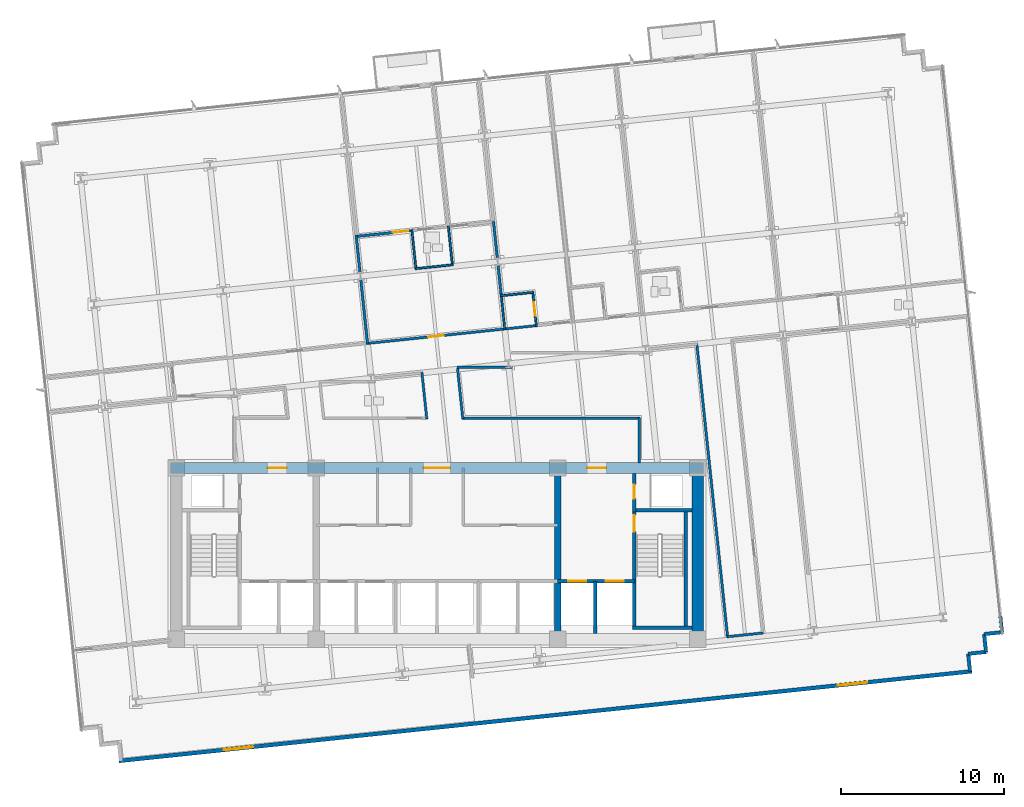
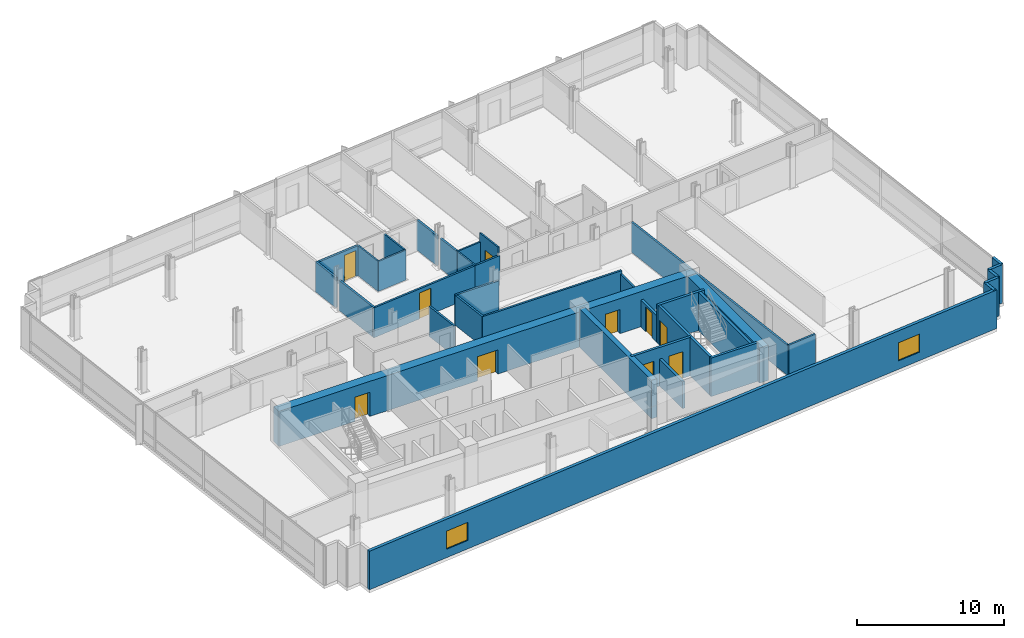
# One storey, part 11 of 17: 36 walls, 10 doors, 2 windows, 12 openings.
"""IFC4 building model written with IfcOpenShell, lengths in metres."""

from ifc_helpers import new_model, si_unit, direction, frame, frame_2d, origin, place, context, subcontext, project, spatial, rectangle, extrude, material, layer, layer_set, type_object, element, fill, save


model = new_model("IFC4")

# Units and contexts
model_context = context("Model", 3, precision=1e-05, world=origin(), true_north=direction((0.0, 1.0)))
body_context = subcontext(model_context, "Body", "Model", "MODEL_VIEW")
ifc_project = project(units=[si_unit("LENGTHUNIT", "METRE"), si_unit("AREAUNIT", "SQUARE_METRE"), si_unit("VOLUMEUNIT", "CUBIC_METRE"), si_unit("PLANEANGLEUNIT", "RADIAN"), si_unit("MASSUNIT", "GRAM", prefix="KILO")], contexts=[model_context])

# Site, building, storey
site_placement = place(None, origin())
site = spatial("IfcSite", under=ifc_project, at=site_placement, CompositionType="ELEMENT")
building_placement = place(site_placement, origin())
building = spatial("IfcBuilding", under=site, at=building_placement, Name="Solmavex Isthmus Hotel", CompositionType="ELEMENT")
storey_placement = place(building_placement, frame((0.0, 0.0, 90.449951171875)))
storey = spatial("IfcBuildingStorey", under=building, at=storey_placement, Name="L24", CompositionType="ELEMENT", Elevation=90.449951171875)

# Wall, openings, windows
ifc_material_1 = material(Name="Precast Concrete C40/50", Category="concrete")
ifc_layer_1 = layer(ifc_material_1, 0.25)
ifc_layer_set_1 = layer_set([ifc_layer_1], Name="Precast Concrete C40/50")
wall_type_1 = type_object("IfcWallType", Name="EW-TWR-250", PredefinedType="STANDARD", material=ifc_layer_set_1)
wall_1_placement = place(storey_placement, frame((-19.504150390625, -20.4716796875, 0.0), z_axis=(0.0, 0.0, 1.0), x_axis=(0.994521743132, 0.104529911687, 0.0)))
wall_1 = element("IfcWall", 1, at=wall_1_placement, inside=storey, type_object=wall_type_1, Name="Tower Rear South Facade Wall L24", PredefinedType="STANDARD", context=body_context, shape_type="SweptSolid", body=[
    extrude(rectangle(XDim=52.60009765625, YDim=0.239990234375, at=frame_2d((26.300048828125, 0.0))), origin(), (0.0, 0.0, 1.0), 3.18994140625),
])
opening_1_placement = place(wall_1_placement, frame((6.464111328125, 0.0, 0.699951171875)))
opening_1 = element("IfcOpeningElement", 2, at=opening_1_placement, cuts=wall_1, Name="Opening WN-02", PredefinedType="OPENING", context=body_context, shape_type="SweptSolid", body=[
    extrude(rectangle(XDim=1.800048828125, YDim=1.5, at=frame_2d((0.89990234375, 0.75))), frame((0.0, 0.1298828125, 0.0), z_axis=(0.0, -1.0, 0.0), x_axis=(1.0, 0.0, 0.0)), (0.0, 0.0, 1.0), 0.260009765625),
])
opening_2_placement = place(wall_1_placement, frame((44.3359375, 0.0, 0.699951171875)))
opening_2 = element("IfcOpeningElement", 3, at=opening_2_placement, cuts=wall_1, Name="Opening WN-02", PredefinedType="OPENING", context=body_context, shape_type="SweptSolid", body=[
    extrude(rectangle(XDim=1.800048828125, YDim=1.5, at=frame_2d((0.89990234375, 0.75))), frame((0.0, 0.1298828125, 0.0), z_axis=(0.0, -1.0, 0.0), x_axis=(1.0, 0.0, 0.0)), (0.0, 0.0, 1.0), 0.260009765625),
])
ifc_material_2 = material(Name="Clear low-E laminated glass", Category="glass")
window_type = type_object("IfcWindowType", Name="WIN-TWR-1800", PartitioningType="SINGLE_PANEL", PredefinedType="WINDOW", material=ifc_material_2)
window_1_placement = place(opening_1_placement, origin())
window_1 = element("IfcWindow", 4, at=window_1_placement, inside=storey, type_object=window_type, Name="South Facade Vision Window L24-S1", OverallHeight=1.5, OverallWidth=1.800048828125, PartitioningType="SINGLE_PANEL", PredefinedType="WINDOW", context=body_context, shape_type="SweptSolid", body=[
    extrude(rectangle(XDim=1.800048828125, YDim=1.5, at=frame_2d((0.89990234375, 0.75))), frame((0.0, 0.030029296875, 0.0), z_axis=(0.0, -1.0, 0.0), x_axis=(1.0, 0.0, 0.0)), (0.0, 0.0, 1.0), 0.06005859375),
])
fill(opening_1, window_1)
window_2_placement = place(opening_2_placement, origin())
window_2 = element("IfcWindow", 5, at=window_2_placement, inside=storey, type_object=window_type, Name="South Facade Vision Window L24-S2", OverallHeight=1.5, OverallWidth=1.800048828125, PartitioningType="SINGLE_PANEL", PredefinedType="WINDOW", context=body_context, shape_type="SweptSolid", body=[
    extrude(rectangle(XDim=1.800048828125, YDim=1.5, at=frame_2d((0.89990234375, 0.75))), frame((0.0, 0.030029296875, 0.0), z_axis=(0.0, -1.0, 0.0), x_axis=(1.0, 0.0, 0.0)), (0.0, 0.0, 1.0), 0.06005859375),
])
fill(opening_2, window_2)

# Walls
wall_2_placement = place(storey_placement, frame((34.553955078125, -11.59228515625, 0.0), z_axis=(0.0, 0.0, 1.0), x_axis=(0.104556418955, -0.99451895671, 0.0)))
element("IfcWall", 6, at=wall_2_placement, inside=storey, type_object=wall_type_1, Name="Serrated Corner Facade Panel L24-21", PredefinedType="STANDARD", context=body_context, shape_type="SweptSolid", body=[
    extrude(rectangle(XDim=0.989990234375, YDim=0.219970703125, at=frame_2d((0.4951171875, 0.0))), origin(), (0.0, 0.0, 1.0), 3.18994140625),
])
for number, where, z_axis, x_axis, name in (
    (7, (34.657470703125, -12.576904296875, 0.0), (0.0, 0.0, 1.0), (-0.994521251134, -0.104534592565, 0.0), "Serrated Corner Facade Panel L24-22"),
    (8, (33.5634765625, -12.69189453125, 0.0), (0.0, 0.0, 1.0), (0.104534592565, -0.994521251134, 0.0), "Serrated Corner Facade Panel L24-23"),
    (9, (33.678466796875, -13.785888671875, 0.0), (0.0, 0.0, 1.0), (-0.994521251134, -0.104534592565, 0.0), "Serrated Corner Facade Panel L24-24"),
    (10, (32.58447265625, -13.90087890625, 0.0), (0.0, 0.0, 1.0), (0.104534592565, -0.994521251134, 0.0), "Serrated Corner Facade Panel L24-25"),
):
    element("IfcWall", number, at=place(storey_placement, frame(where, z_axis=z_axis, x_axis=x_axis)), inside=storey, type_object=wall_type_1, Name=name, PredefinedType="STANDARD", context=body_context, shape_type="SweptSolid", body=[
        extrude(rectangle(XDim=1.10009765625, YDim=0.219970703125, at=frame_2d((0.550048828125, 0.0))), origin(), (0.0, 0.0, 1.0), 3.18994140625),
    ])
ifc_material_3 = material(Name="Gypsum plasterboard lining", Category="gypsum")
ifc_layer_2 = layer(ifc_material_3, 0.159912109375)
ifc_layer_set_2 = layer_set([ifc_layer_2], Name="Gypsum plasterboard lining")
wall_type_2 = type_object("IfcWallType", Name="IW-COMP-160", PredefinedType="PARTITIONING", material=ifc_layer_set_2)
wall_3_placement = place(storey_placement, frame((-4.962158203125, 11.78515625, 0.0), z_axis=(0.0, 0.0, 1.0), x_axis=(0.104571491077, -0.994517372022, 0.0)))
element("IfcWall", 11, at=wall_3_placement, inside=storey, type_object=wall_type_2, Name="Interior Partition Wall W-L24-P033", PredefinedType="PARTITIONING", context=body_context, shape_type="SweptSolid", body=[
    extrude(rectangle(XDim=2.355712890625, YDim=0.159912109375, at=frame_2d((1.177734375, 0.0))), origin(), (0.0, 0.0, 1.0), 2.4794921875),
])
wall_4_placement = place(storey_placement, frame((-4.678955078125, 9.091796875, 0.0), z_axis=(0.0, 0.0, 1.0), x_axis=(0.104491540593, -0.994525775405, 0.0)))
element("IfcWall", 12, at=wall_4_placement, inside=storey, type_object=wall_type_2, Name="Interior Partition Wall W-L24-P034", PredefinedType="PARTITIONING", context=body_context, shape_type="SweptSolid", body=[
    extrude(rectangle(XDim=4.01171875, YDim=0.159912109375, at=frame_2d((2.005859375, 0.0))), origin(), (0.0, 0.0, 1.0), 2.4794921875),
])

# Wall, opening, door
wall_5_placement = place(storey_placement, frame((-4.993408203125, 11.699462890625, 0.0), z_axis=(0.0, 0.0, 1.0), x_axis=(0.994522955196, 0.104518379192, 0.0)))
wall_5 = element("IfcWall", 13, at=wall_5_placement, inside=storey, type_object=wall_type_2, Name="Interior Partition Wall W-L24-P038", PredefinedType="PARTITIONING", context=body_context, shape_type="SweptSolid", body=[
    extrude(rectangle(XDim=3.51318359375, YDim=0.159912109375, at=frame_2d((1.756591796875, 0.0))), origin(), (0.0, 0.0, 1.0), 2.4794921875),
])
opening_3_placement = place(wall_5_placement, frame((2.290771484375, 0.0, 0.0)))
opening_3 = element("IfcOpeningElement", 14, at=opening_3_placement, cuts=wall_5, Name="Opening ID-C095", PredefinedType="OPENING", context=body_context, shape_type="SweptSolid", body=[
    extrude(rectangle(XDim=0.949951171875, YDim=2.14990234375, at=frame_2d((0.47509765625, 1.074951171875))), frame((0.0, 0.08984375, 0.0), z_axis=(0.0, -1.0, 0.0), x_axis=(1.0, 0.0, 0.0)), (0.0, 0.0, 1.0), 0.179931640625),
])
ifc_material_4 = material(Name="Hardwood timber", Category="wood")
door_type_1 = type_object("IfcDoorType", Name="IDR-FD60-0950", OperationType="NOTDEFINED", PredefinedType="DOOR", material=ifc_material_4)
door_1_placement = place(opening_3_placement, origin())
door_1 = element("IfcDoor", 15, at=door_1_placement, inside=storey, type_object=door_type_1, Name="Ambassador Suite Bedroom Door L24-03", OperationType="SINGLE_SWING_LEFT", OverallHeight=2.14990234375, OverallWidth=0.949951171875, PredefinedType="DOOR", context=body_context, shape_type="SweptSolid", body=[
    extrude(rectangle(XDim=0.949951171875, YDim=2.14990234375, at=frame_2d((0.47509765625, 1.074951171875))), frame((0.0, 0.02490234375, 0.0), z_axis=(0.0, -1.0, 0.0), x_axis=(1.0, 0.0, 0.0)), (0.0, 0.0, 1.0), 0.050048828125),
])
fill(opening_3, door_1)

# Walls
wall_6_placement = place(storey_placement, frame((3.4619140625, 12.62841796875, 0.0), z_axis=(0.0, 0.0, 1.0), x_axis=(0.104558463094, -0.994518741802, 0.0)))
element("IfcWall", 16, at=wall_6_placement, inside=storey, type_object=wall_type_2, Name="Interior Partition Wall W-L24-P043", PredefinedType="PARTITIONING", context=body_context, shape_type="SweptSolid", body=[
    extrude(rectangle(XDim=2.31396484375, YDim=0.159912109375, at=frame_2d((1.156982421875, 0.0))), origin(), (0.0, 0.0, 1.0), 2.4794921875),
])
wall_7_placement = place(storey_placement, frame((3.740478515625, 9.976806640625, 0.0), z_axis=(0.0, 0.0, 1.0), x_axis=(0.104532575691, -0.994521463127, 0.0)))
element("IfcWall", 17, at=wall_7_placement, inside=storey, type_object=wall_type_2, Name="Interior Partition Wall W-L24-P044", PredefinedType="PARTITIONING", context=body_context, shape_type="SweptSolid", body=[
    extrude(rectangle(XDim=2.00390625, YDim=0.159912109375, at=frame_2d((1.001953125, 0.0))), origin(), (0.0, 0.0, 1.0), 2.4794921875),
])

# Wall, opening, door
ifc_layer_3 = layer(ifc_material_3, 0.14990234375)
ifc_layer_set_3 = layer_set([ifc_layer_3], Name="Gypsum plasterboard lining")
wall_type_3 = type_object("IfcWallType", Name="IW-CORR-150", PredefinedType="PARTITIONING", material=ifc_layer_set_3)
wall_8_placement = place(storey_placement, frame((-4.345458984375, 5.13330078125, 0.0), z_axis=(0.0, 0.0, 1.0), x_axis=(0.994521717123, 0.104530159146, 0.0)))
wall_8 = element("IfcWall", 18, at=wall_8_placement, inside=storey, type_object=wall_type_3, Name="Interior Partition Wall W-L24-P002", PredefinedType="PARTITIONING", context=body_context, shape_type="SweptSolid", body=[
    extrude(rectangle(XDim=8.630126953125, YDim=0.14990234375, at=frame_2d((4.31494140625, 0.0))), origin(), (0.0, 0.0, 1.0), 2.4794921875),
])
opening_4_placement = place(wall_8_placement, frame((3.840087890625, 0.0, 0.0)))
opening_4 = element("IfcOpeningElement", 19, at=opening_4_placement, cuts=wall_8, Name="Opening ID-C095", PredefinedType="OPENING", context=body_context, shape_type="SweptSolid", body=[
    extrude(rectangle(XDim=0.949951171875, YDim=2.14990234375, at=frame_2d((0.47509765625, 1.074951171875))), frame((0.0, 0.0849609375, 0.0), z_axis=(0.0, -1.0, 0.0), x_axis=(1.0, 0.0, 0.0)), (0.0, 0.0, 1.0), 0.169921875),
])
door_2_placement = place(opening_4_placement, origin())
door_2 = element("IfcDoor", 20, at=door_2_placement, inside=storey, type_object=door_type_1, Name="Ambassador Suite Reception Foyer Door L24-02", OperationType="SINGLE_SWING_RIGHT", OverallHeight=2.14990234375, OverallWidth=0.949951171875, PredefinedType="DOOR", context=body_context, shape_type="SweptSolid", body=[
    extrude(rectangle(XDim=0.949951171875, YDim=2.14990234375, at=frame_2d((0.47509765625, 1.074951171875))), frame((0.0, 0.02490234375, 0.0), z_axis=(0.0, -1.0, 0.0), x_axis=(1.0, 0.0, 0.0)), (0.0, 0.0, 1.0), 0.050048828125),
])
fill(opening_4, door_2)

# Walls
wall_9_placement = place(storey_placement, frame((4.07421875, 6.01806640625, 0.0), z_axis=(0.0, 0.0, 1.0), x_axis=(0.994520650134, 0.1045403102, 0.0)))
element("IfcWall", 21, at=wall_9_placement, inside=storey, type_object=wall_type_3, Name="Interior Partition Wall W-L24-P004", PredefinedType="PARTITIONING", context=body_context, shape_type="SweptSolid", body=[
    extrude(rectangle(XDim=2.111083984375, YDim=0.14990234375, at=frame_2d((1.0556640625, 0.0))), origin(), (0.0, 0.0, 1.0), 2.4794921875),
])
wall_10_placement = place(storey_placement, frame((-0.626708984375, 0.51025390625, 0.0), z_axis=(0.0, 0.0, 1.0), x_axis=(-0.104569907609, 0.994517538519, 0.0)))
element("IfcWall", 22, at=wall_10_placement, inside=storey, type_object=wall_type_3, Name="Interior Partition Wall W-L24-P013", PredefinedType="PARTITIONING", context=body_context, shape_type="SweptSolid", body=[
    extrude(rectangle(XDim=2.87646484375, YDim=0.14990234375, at=frame_2d((1.438232421875, 0.0))), origin(), (0.0, 0.0, 1.0), 2.4794921875),
])
wall_11_placement = place(storey_placement, frame((20.010498046875, -12.6181640625, 0.0), z_axis=(0.0, 0.0, 1.0), x_axis=(-0.994522758079, -0.104520254794, 0.0)))
element("IfcWall", 23, at=wall_11_placement, inside=storey, type_object=wall_type_3, Name="Interior Partition Wall W-L24-P024", PredefinedType="PARTITIONING", context=body_context, shape_type="SweptSolid", body=[
    extrude(rectangle(XDim=2.239990234375, YDim=0.14990234375, at=frame_2d((1.1201171875, 0.0))), origin(), (0.0, 0.0, 1.0), 2.55322265625),
])
wall_12_placement = place(storey_placement, frame((17.82666015625, -12.887939453125, 0.0), z_axis=(0.0, 0.0, 1.0), x_axis=(-0.104523559353, 0.994522410778, 0.0)))
element("IfcWall", 24, at=wall_12_placement, inside=storey, type_object=wall_type_3, Name="Interior Partition Wall W-L24-P025", PredefinedType="PARTITIONING", context=body_context, shape_type="SweptSolid", body=[
    extrude(rectangle(XDim=18.130126953125, YDim=0.14990234375, at=frame_2d((9.06494140625, 0.0))), origin(), (0.0, 0.0, 1.0), 2.4794921875),
])
wall_13_placement = place(storey_placement, frame((4.635498046875, 3.673583984375, 0.0), z_axis=(0.0, 0.0, 1.0), x_axis=(-1.0, 0.0, 0.0)))
element("IfcWall", 25, at=wall_13_placement, inside=storey, type_object=wall_type_3, Name="Interior Partition Wall W-L24-P028", PredefinedType="PARTITIONING", context=body_context, shape_type="SweptSolid", body=[
    extrude(rectangle(XDim=3.41064453125, YDim=0.14990234375, at=frame_2d((1.705322265625, 0.0))), origin(), (0.0, 0.0, 1.0), 2.4794921875),
])
wall_14_placement = place(storey_placement, frame((1.260498046875, 3.600830078125, 0.0), z_axis=(0.0, 0.0, 1.0), x_axis=(0.104488483176, -0.994526096633, 0.0)))
element("IfcWall", 26, at=wall_14_placement, inside=storey, type_object=wall_type_3, Name="Interior Partition Wall W-L24-P029", PredefinedType="PARTITIONING", context=body_context, shape_type="SweptSolid", body=[
    extrude(rectangle(XDim=3.107666015625, YDim=0.14990234375, at=frame_2d((1.5537109375, 0.0))), origin(), (0.0, 0.0, 1.0), 2.4794921875),
])
wall_15_placement = place(storey_placement, frame((1.541015625, 0.550048828125, 0.0), z_axis=(0.0, 0.0, 1.0), x_axis=(1.0, 0.0, 0.0)))
element("IfcWall", 27, at=wall_15_placement, inside=storey, type_object=wall_type_3, Name="Interior Partition Wall W-L24-P030", PredefinedType="PARTITIONING", context=body_context, shape_type="SweptSolid", body=[
    extrude(rectangle(XDim=10.89892578125, YDim=0.14990234375, at=frame_2d((5.449462890625, 0.0))), origin(), (0.0, 0.0, 1.0), 2.4794921875),
])
wall_16_placement = place(storey_placement, frame((12.39990234375, 0.590087890625, 0.0), z_axis=(0.0, 0.0, 1.0), x_axis=(0.0, -1.0, 0.0)))
element("IfcWall", 28, at=wall_16_placement, inside=storey, type_object=wall_type_3, Name="Interior Partition Wall W-L24-P031", PredefinedType="PARTITIONING", context=body_context, shape_type="SweptSolid", body=[
    extrude(rectangle(XDim=2.780029296875, YDim=0.14990234375, at=frame_2d((1.39013671875, 0.0))), origin(), (0.0, 0.0, 1.0), 2.22509765625),
])
ifc_layer_4 = layer(ifc_material_3, 0.1201171875)
ifc_layer_set_4 = layer_set([ifc_layer_4], Name="Gypsum plasterboard lining")
wall_type_4 = type_object("IfcWallType", Name="IW-PART-120", PredefinedType="PARTITIONING", material=ifc_layer_set_4)
wall_17_placement = place(storey_placement, frame((-1.54345703125, 12.102294921875, 0.0), z_axis=(0.0, 0.0, 1.0), x_axis=(0.104486049741, -0.994526352295, 0.0)))
element("IfcWall", 29, at=wall_17_placement, inside=storey, type_object=wall_type_4, Name="Interior Partition Wall W-L24-P040", PredefinedType="PARTITIONING", context=body_context, shape_type="SweptSolid", body=[
    extrude(rectangle(XDim=2.429931640625, YDim=0.1201171875, at=frame_2d((1.21484375, 0.0))), origin(), (0.0, 0.0, 1.0), 2.4794921875),
])
wall_18_placement = place(storey_placement, frame((-1.33349609375, 9.72119140625, 0.0), z_axis=(0.0, 0.0, 1.0), x_axis=(0.994527822882, 0.104472051355, 0.0)))
element("IfcWall", 30, at=wall_18_placement, inside=storey, type_object=wall_type_4, Name="Interior Partition Wall W-L24-P041", PredefinedType="PARTITIONING", context=body_context, shape_type="SweptSolid", body=[
    extrude(rectangle(XDim=2.329833984375, YDim=0.1201171875, at=frame_2d((1.1650390625, 0.0))), origin(), (0.0, 0.0, 1.0), 2.4794921875),
])
wall_19_placement = place(storey_placement, frame((0.9482421875, 9.920654296875, 0.0), z_axis=(0.0, 0.0, 1.0), x_axis=(-0.104585418696, 0.994515907463, 0.0)))
element("IfcWall", 31, at=wall_19_placement, inside=storey, type_object=wall_type_4, Name="Interior Partition Wall W-L24-P042", PredefinedType="PARTITIONING", context=body_context, shape_type="SweptSolid", body=[
    extrude(rectangle(XDim=2.43017578125, YDim=0.1201171875, at=frame_2d((1.215087890625, 0.0))), origin(), (0.0, 0.0, 1.0), 2.4794921875),
])
wall_20_placement = place(storey_placement, frame((3.932861328125, 8.14697265625, 0.0), z_axis=(0.0, 0.0, 1.0), x_axis=(0.104544343878, -0.994520226121, 0.0)))
element("IfcWall", 32, at=wall_20_placement, inside=storey, type_object=wall_type_4, Name="Interior Partition Wall W-L24-P045", PredefinedType="PARTITIONING", context=body_context, shape_type="SweptSolid", body=[
    extrude(rectangle(XDim=2.171875, YDim=0.1201171875, at=frame_2d((1.0859375, 0.0))), origin(), (0.0, 0.0, 1.0), 2.4794921875),
])

# Wall, opening, door
wall_21_placement = place(storey_placement, frame((6.096435546875, 6.1904296875, 0.0), z_axis=(0.0, 0.0, 1.0), x_axis=(-0.104529659321, 0.994521769657, 0.0)))
wall_21 = element("IfcWall", 33, at=wall_21_placement, inside=storey, type_object=wall_type_4, Name="Interior Partition Wall W-L24-P050", PredefinedType="PARTITIONING", context=body_context, shape_type="SweptSolid", body=[
    extrude(rectangle(XDim=2.130126953125, YDim=0.1201171875, at=frame_2d((1.06494140625, 0.0))), origin(), (0.0, 0.0, 1.0), 3.18994140625),
])
opening_5_placement = place(wall_21_placement, frame((0.639892578125, 0.0, 0.0)))
opening_5 = element("IfcOpeningElement", 34, at=opening_5_placement, cuts=wall_21, Name="Opening ID-U085", PredefinedType="OPENING", context=body_context, shape_type="SweptSolid", body=[
    extrude(rectangle(XDim=0.85009765625, YDim=2.10009765625, at=frame_2d((0.425048828125, 1.050048828125))), frame((0.0, 0.070068359375, 0.0), z_axis=(0.0, -1.0, 0.0), x_axis=(1.0, 0.0, 0.0)), (0.0, 0.0, 1.0), 0.14013671875),
])
door_type_2 = type_object("IfcDoorType", Name="IDR-UNR-0850", OperationType="NOTDEFINED", PredefinedType="DOOR", material=ifc_material_4)
door_3_placement = place(opening_5_placement, frame((0.85009765625, 0.0, 0.0), z_axis=(0.0, 0.0, 1.0), x_axis=(-1.0, 0.0, 0.0)))
door_3 = element("IfcDoor", 35, at=door_3_placement, inside=storey, type_object=door_type_2, Name="En-suite Bathroom Door L24-07", OperationType="SINGLE_SWING_LEFT", OverallHeight=2.10009765625, OverallWidth=0.85009765625, PredefinedType="DOOR", context=body_context, shape_type="SweptSolid", body=[
    extrude(rectangle(XDim=0.85009765625, YDim=2.10009765625, at=frame_2d((0.425048828125, 1.050048828125))), frame((0.0, 0.02490234375, 0.0), z_axis=(0.0, -1.0, 0.0), x_axis=(1.0, 0.0, 0.0)), (0.0, 0.0, 1.0), 0.050048828125),
])
fill(opening_5, door_3)

# Wall
wall_22_placement = place(storey_placement, frame((5.917724609375, 8.273193359375, 0.0), z_axis=(0.0, 0.0, 1.0), x_axis=(-0.994521279075, -0.104534326742, 0.0)))
element("IfcWall", 36, at=wall_22_placement, inside=storey, type_object=wall_type_4, Name="Interior Partition Wall W-L24-P051", PredefinedType="PARTITIONING", context=body_context, shape_type="SweptSolid", body=[
    extrude(rectangle(XDim=2.027099609375, YDim=0.1201171875, at=frame_2d((1.013671875, 0.0))), origin(), (0.0, 0.0, 1.0), 2.4794921875),
])

# Wall, opening, door
ifc_material_5 = material(Name="Concrete C40/50", Category="concrete")
ifc_layer_5 = layer(ifc_material_5, 0.199951171875)
ifc_layer_set_5 = layer_set([ifc_layer_5], Name="Concrete C40/50")
wall_type_5 = type_object("IfcWallType", Name="IW-SHAFT-200", PredefinedType="PARTITIONING", material=ifc_layer_set_5)
wall_23_placement = place(storey_placement, frame((12.10009765625, -5.199951171875, 0.0), z_axis=(0.0, 0.0, 1.0), x_axis=(0.0, 1.0, 0.0)))
wall_23 = element("IfcWall", 37, at=wall_23_placement, inside=storey, type_object=wall_type_5, Name="Interior Partition Wall W-L24-RSE-W", PredefinedType="PARTITIONING", context=body_context, shape_type="SweptSolid", body=[
    extrude(rectangle(XDim=2.349853515625, YDim=0.199951171875, at=frame_2d((1.1748046875, 0.0))), origin(), (0.0, 0.0, 1.0), 2.22509765625),
])
opening_6_placement = place(wall_23_placement, frame((0.824951171875, 0.0, 0.0)))
opening_6 = element("IfcOpeningElement", 38, at=opening_6_placement, cuts=wall_23, Name="Opening ID-R085", PredefinedType="OPENING", context=body_context, shape_type="SweptSolid", body=[
    extrude(rectangle(XDim=0.85009765625, YDim=2.050048828125, at=frame_2d((0.425048828125, 1.02490234375))), frame((0.0, 0.10986328125, 0.0), z_axis=(0.0, -1.0, 0.0), x_axis=(1.0, 0.0, 0.0)), (0.0, 0.0, 1.0), 0.219970703125),
])
ifc_material_6 = material(Name="Steel ASTM A500 Grade C", Category="steel")
door_type_3 = type_object("IfcDoorType", Name="IDR-FD60-0850", OperationType="NOTDEFINED", PredefinedType="DOOR", material=ifc_material_6)
door_4_placement = place(opening_6_placement, frame((0.85009765625, 0.0, 0.0), z_axis=(0.0, 0.0, 1.0), x_axis=(-1.0, 0.0, 0.0)))
door_4 = element("IfcDoor", 39, at=door_4_placement, inside=storey, type_object=door_type_3, Name="Mechanical Riser Door L24", OperationType="SINGLE_SWING_LEFT", OverallHeight=2.050048828125, OverallWidth=0.85009765625, PredefinedType="DOOR", context=body_context, shape_type="SweptSolid", body=[
    extrude(rectangle(XDim=0.85009765625, YDim=2.050048828125, at=frame_2d((0.425048828125, 1.02490234375))), frame((0.0, 0.02490234375, 0.0), z_axis=(0.0, -1.0, 0.0), x_axis=(1.0, 0.0, 0.0)), (0.0, 0.0, 1.0), 0.050048828125),
])
fill(opening_6, door_4)

# Wall, openings, doors
wall_24_placement = place(storey_placement, frame((7.39990234375, -9.449951171875, 0.0), z_axis=(0.0, 0.0, 1.0), x_axis=(1.0, 0.0, 0.0)))
wall_24 = element("IfcWall", 40, at=wall_24_placement, inside=storey, type_object=wall_type_5, Name="Interior Partition Wall W-L24-FFLE-S", PredefinedType="PARTITIONING", context=body_context, shape_type="SweptSolid", body=[
    extrude(rectangle(XDim=4.7001953125, YDim=0.199951171875, at=frame_2d((2.35009765625, 0.0))), origin(), (0.0, 0.0, 1.0), 3.18994140625),
])
opening_7_placement = place(wall_24_placement, frame((2.949951171875, 0.0, 0.0)))
opening_7 = element("IfcOpeningElement", 41, at=opening_7_placement, cuts=wall_24, Name="Opening LD-FF", PredefinedType="OPENING", context=body_context, shape_type="SweptSolid", body=[
    extrude(rectangle(XDim=1.10009765625, YDim=2.199951171875, at=frame_2d((0.550048828125, 1.10009765625))), frame((0.0, 0.10986328125, 0.0), z_axis=(0.0, -1.0, 0.0), x_axis=(1.0, 0.0, 0.0)), (0.0, 0.0, 1.0), 0.219970703125),
])
opening_8_placement = place(wall_24_placement, frame((0.64990234375, 0.0, 0.0)))
opening_8 = element("IfcOpeningElement", 42, at=opening_8_placement, cuts=wall_24, Name="Opening LD-SV", PredefinedType="OPENING", context=body_context, shape_type="SweptSolid", body=[
    extrude(rectangle(XDim=1.10009765625, YDim=2.199951171875, at=frame_2d((0.550048828125, 1.10009765625))), frame((0.0, 0.10986328125, 0.0), z_axis=(0.0, -1.0, 0.0), x_axis=(1.0, 0.0, 0.0)), (0.0, 0.0, 1.0), 0.219970703125),
])
ifc_material_7 = material(Name="Stainless steel 316", Category="steel")
door_type_4 = type_object("IfcDoorType", Name="LDR-FF-1100", OperationType="NOTDEFINED", PredefinedType="DOOR", material=ifc_material_7)
door_5_placement = place(opening_7_placement, origin())
door_5 = element("IfcDoor", 43, at=door_5_placement, inside=storey, type_object=door_type_4, Name="Lift Landing Door FFL-2 L24", OperationType="SLIDING_TO_LEFT", OverallHeight=2.199951171875, OverallWidth=1.10009765625, PredefinedType="DOOR", context=body_context, shape_type="SweptSolid", body=[
    extrude(rectangle(XDim=1.10009765625, YDim=2.199951171875, at=frame_2d((0.550048828125, 1.10009765625))), frame((0.0, 0.02490234375, 0.0), z_axis=(0.0, -1.0, 0.0), x_axis=(1.0, 0.0, 0.0)), (0.0, 0.0, 1.0), 0.050048828125),
])
fill(opening_7, door_5)
door_type_5 = type_object("IfcDoorType", Name="LDR-SV-1100", OperationType="NOTDEFINED", PredefinedType="DOOR", material=ifc_material_7)
door_6_placement = place(opening_8_placement, origin())
door_6 = element("IfcDoor", 44, at=door_6_placement, inside=storey, type_object=door_type_5, Name="Lift Landing Door SVL-2 L24", OperationType="SLIDING_TO_RIGHT", OverallHeight=2.199951171875, OverallWidth=1.10009765625, PredefinedType="DOOR", context=body_context, shape_type="SweptSolid", body=[
    extrude(rectangle(XDim=1.10009765625, YDim=2.199951171875, at=frame_2d((0.550048828125, 1.10009765625))), frame((0.0, 0.02490234375, 0.0), z_axis=(0.0, -1.0, 0.0), x_axis=(1.0, 0.0, 0.0)), (0.0, 0.0, 1.0), 0.050048828125),
])
fill(opening_8, door_6)

# Walls
wall_25_placement = place(storey_placement, frame((9.699951171875, -12.64990234375, 0.0), z_axis=(0.0, 0.0, 1.0), x_axis=(0.0, 1.0, 0.0)))
element("IfcWall", 45, at=wall_25_placement, inside=storey, type_object=wall_type_5, Name="Interior Partition Wall W-L24-FFLE-M", PredefinedType="PARTITIONING", context=body_context, shape_type="SweptSolid", body=[
    extrude(rectangle(XDim=3.199951171875, YDim=0.199951171875, at=frame_2d((1.60009765625, 0.0))), origin(), (0.0, 0.0, 1.0), 2.22509765625),
])
ifc_material_8 = material(Name="Concrete C60/75", Category="concrete")
ifc_layer_6 = layer(ifc_material_8, 0.39990234375)
ifc_layer_set_6 = layer_set([ifc_layer_6], Name="Concrete C60/75")
wall_type_6 = type_object("IfcWallType", Name="WALL-CW-400M", PredefinedType="SHEAR", material=ifc_layer_set_6)
wall_26_placement = place(storey_placement, frame((7.39990234375, -12.64990234375, 0.0), z_axis=(0.0, 0.0, 1.0), x_axis=(0.0, 1.0, 0.0)))
element("IfcWall", 46, at=wall_26_placement, inside=storey, type_object=wall_type_6, Name="Core Cross Shear Wall C2 L24", PredefinedType="SHEAR", context=body_context, shape_type="SweptSolid", body=[
    extrude(rectangle(XDim=9.7998046875, YDim=0.39990234375, at=frame_2d((4.89990234375, 0.0))), origin(), (0.0, 0.0, 1.0), 3.18994140625),
])

# Wall, openings, doors
ifc_layer_7 = layer(ifc_material_8, 0.699951171875)
ifc_layer_set_7 = layer_set([ifc_layer_7], Name="Concrete C60/75")
wall_type_7 = type_object("IfcWallType", Name="WALL-CW-700", PredefinedType="SHEAR", material=ifc_layer_set_7)
wall_27_placement = place(storey_placement, frame((-16.35009765625, -2.5, 0.0), z_axis=(0.0, 0.0, 1.0), x_axis=(1.0, 0.0, 0.0)))
wall_27 = element("IfcWall", 47, at=wall_27_placement, inside=storey, type_object=wall_type_7, Name="Core Shear Wall North L24", PredefinedType="SHEAR", context=body_context, shape_type="SweptSolid", body=[
    extrude(rectangle(XDim=32.7001953125, YDim=0.699951171875, at=frame_2d((16.35009765625, 0.0))), origin(), (0.0, 0.0, 1.0), 2.91015625),
])
opening_9_placement = place(wall_27_placement, frame((5.97509765625, 0.0, 0.0)))
opening_9 = element("IfcOpeningElement", 48, at=opening_9_placement, cuts=wall_27, Name="Opening ID-F915", PredefinedType="OPENING", context=body_context, shape_type="SweptSolid", body=[
    extrude(rectangle(XDim=1.14990234375, YDim=2.0, at=frame_2d((0.574951171875, 1.0))), frame((0.0, 0.35986328125, 0.0), z_axis=(0.0, -1.0, 0.0), x_axis=(1.0, 0.0, 0.0)), (0.0, 0.0, 1.0), 0.719970703125),
])
opening_10_placement = place(wall_27_placement, frame((15.550048828125, 0.0, 0.0)))
opening_10 = element("IfcOpeningElement", 49, at=opening_10_placement, cuts=wall_27, Name="Opening ID-F960", PredefinedType="OPENING", context=body_context, shape_type="SweptSolid", body=[
    extrude(rectangle(XDim=1.60009765625, YDim=2.0, at=frame_2d((0.800048828125, 1.0))), frame((0.0, 0.35986328125, 0.0), z_axis=(0.0, -1.0, 0.0), x_axis=(1.0, 0.0, 0.0)), (0.0, 0.0, 1.0), 0.719970703125),
])
opening_11_placement = place(wall_27_placement, frame((25.574951171875, 0.0, 0.0)))
opening_11 = element("IfcOpeningElement", 50, at=opening_11_placement, cuts=wall_27, Name="Opening ID-F915", PredefinedType="OPENING", context=body_context, shape_type="SweptSolid", body=[
    extrude(rectangle(XDim=1.14990234375, YDim=2.0, at=frame_2d((0.574951171875, 1.0))), frame((0.0, 0.35986328125, 0.0), z_axis=(0.0, -1.0, 0.0), x_axis=(1.0, 0.0, 0.0)), (0.0, 0.0, 1.0), 0.719970703125),
])
door_type_6 = type_object("IfcDoorType", Name="IDR-FD90-1150C", OperationType="NOTDEFINED", PredefinedType="DOOR", material=ifc_material_6)
door_7_placement = place(opening_9_placement, origin())
door_7 = element("IfcDoor", 51, at=door_7_placement, inside=storey, type_object=door_type_6, Name="Firefighting Lobby West Exit Door L24", OperationType="SINGLE_SWING_LEFT", OverallHeight=2.0, OverallWidth=1.14990234375, PredefinedType="DOOR", context=body_context, shape_type="SweptSolid", body=[
    extrude(rectangle(XDim=1.14990234375, YDim=2.0, at=frame_2d((0.574951171875, 1.0))), frame((0.0, 0.02490234375, 0.0), z_axis=(0.0, -1.0, 0.0), x_axis=(1.0, 0.0, 0.0)), (0.0, 0.0, 1.0), 0.050048828125),
])
fill(opening_9, door_7)
door_8_placement = place(opening_11_placement, origin())
door_8 = element("IfcDoor", 52, at=door_8_placement, inside=storey, type_object=door_type_6, Name="Firefighting Lobby East Exit Door L24", OperationType="SINGLE_SWING_RIGHT", OverallHeight=2.0, OverallWidth=1.14990234375, PredefinedType="DOOR", context=body_context, shape_type="SweptSolid", body=[
    extrude(rectangle(XDim=1.14990234375, YDim=2.0, at=frame_2d((0.574951171875, 1.0))), frame((0.0, 0.02490234375, 0.0), z_axis=(0.0, -1.0, 0.0), x_axis=(1.0, 0.0, 0.0)), (0.0, 0.0, 1.0), 0.050048828125),
])
fill(opening_11, door_8)
door_type_7 = type_object("IfcDoorType", Name="IDR-FD90-1600C", OperationType="NOTDEFINED", PredefinedType="DOOR", material=ifc_material_6)
door_9_placement = place(opening_10_placement, origin())
door_9 = element("IfcDoor", 53, at=door_9_placement, inside=storey, type_object=door_type_7, Name="Central Lift Lobby Door L24", OperationType="DOUBLE_DOOR_SINGLE_SWING", OverallHeight=2.0, OverallWidth=1.60009765625, PredefinedType="DOOR", context=body_context, shape_type="SweptSolid", body=[
    extrude(rectangle(XDim=1.60009765625, YDim=2.0, at=frame_2d((0.800048828125, 1.0))), frame((0.0, 0.02490234375, 0.0), z_axis=(0.0, -1.0, 0.0), x_axis=(1.0, 0.0, 0.0)), (0.0, 0.0, 1.0), 0.050048828125),
])
fill(opening_10, door_9)

# Walls
wall_28_placement = place(storey_placement, frame((16.0, -12.64990234375, 0.0), z_axis=(0.0, 0.0, 1.0), x_axis=(0.0, 1.0, 0.0)))
element("IfcWall", 54, at=wall_28_placement, inside=storey, type_object=wall_type_7, Name="Core Shear Wall East L24", PredefinedType="SHEAR", context=body_context, shape_type="SweptSolid", body=[
    extrude(rectangle(XDim=9.7998046875, YDim=0.699951171875, at=frame_2d((4.89990234375, 0.0))), origin(), (0.0, 0.0, 1.0), 2.91015625),
])
ifc_layer_8 = layer(ifc_material_5, 0.199951171875)
ifc_layer_set_8 = layer_set([ifc_layer_8], Name="Concrete C40/50")
wall_type_8 = type_object("IfcWallType", Name="WALL-SW-200", PredefinedType="SOLIDWALL", material=ifc_layer_set_8)
for number, where, z_axis, x_axis, name in (
    (55, (12.0, -12.300048828125, 0.0), (0.0, 0.0, 1.0), (1.0, 0.0, 0.0), "Stairwell Structural Wall SW-L24-ST2-S"),
    (56, (12.0, -5.10009765625, 0.0), (0.0, 0.0, 1.0), (1.0, 0.0, 0.0), "Stairwell Structural Wall SW-L24-ST2-N"),
):
    element("IfcWall", number, at=place(storey_placement, frame(where, z_axis=z_axis, x_axis=x_axis)), inside=storey, type_object=wall_type_8, Name=name, PredefinedType="SOLIDWALL", context=body_context, shape_type="SweptSolid", body=[
        extrude(rectangle(XDim=3.64990234375, YDim=0.199951171875, at=frame_2d((1.824951171875, 0.0))), origin(), (0.0, 0.0, 1.0), 3.18994140625),
    ])

# Wall, opening, door
wall_29_placement = place(storey_placement, frame((12.10009765625, -12.199951171875, 0.0), z_axis=(0.0, 0.0, 1.0), x_axis=(0.0, 1.0, 0.0)))
wall_29 = element("IfcWall", 57, at=wall_29_placement, inside=storey, type_object=wall_type_8, Name="Stairwell Structural Wall SW-L24-ST2-W", PredefinedType="SOLIDWALL", context=body_context, shape_type="SweptSolid", body=[
    extrude(rectangle(XDim=7.0, YDim=0.199951171875, at=frame_2d((3.5, 0.0))), origin(), (0.0, 0.0, 1.0), 3.18994140625),
])
opening_12_placement = place(wall_29_placement, frame((5.800048828125, 0.0, 0.0)))
opening_12 = element("IfcOpeningElement", 58, at=opening_12_placement, cuts=wall_29, Name="Opening ID-F100", PredefinedType="OPENING", context=body_context, shape_type="SweptSolid", body=[
    extrude(rectangle(XDim=1.0, YDim=2.10009765625, at=frame_2d((0.5, 1.050048828125))), frame((0.0, 0.10986328125, 0.0), z_axis=(0.0, -1.0, 0.0), x_axis=(1.0, 0.0, 0.0)), (0.0, 0.0, 1.0), 0.219970703125),
])
door_type_8 = type_object("IfcDoorType", Name="IDR-FD90-1000", OperationType="NOTDEFINED", PredefinedType="DOOR", material=ifc_material_6)
door_10_placement = place(opening_12_placement, origin())
door_10 = element("IfcDoor", 59, at=door_10_placement, inside=storey, type_object=door_type_8, Name="Stair ST-2 Fire Door L24", OperationType="SINGLE_SWING_RIGHT", OverallHeight=2.10009765625, OverallWidth=1.0, PredefinedType="DOOR", context=body_context, shape_type="SweptSolid", body=[
    extrude(rectangle(XDim=1.0, YDim=2.10009765625, at=frame_2d((0.5, 1.050048828125))), frame((0.0, 0.02490234375, 0.0), z_axis=(0.0, -1.0, 0.0), x_axis=(1.0, 0.0, 0.0)), (0.0, 0.0, 1.0), 0.050048828125),
])
fill(opening_12, door_10)

# Wall
wall_30_placement = place(storey_placement, frame((15.25, -12.199951171875, 0.0), z_axis=(0.0, 0.0, 1.0), x_axis=(0.0, 1.0, 0.0)))
element("IfcWall", 60, at=wall_30_placement, inside=storey, type_object=wall_type_8, Name="Stairwell Structural Wall SW-L24-ST2-E", PredefinedType="SOLIDWALL", context=body_context, shape_type="SweptSolid", body=[
    extrude(rectangle(XDim=7.0, YDim=0.199951171875, at=frame_2d((3.5, 0.0))), origin(), (0.0, 0.0, 1.0), 3.18994140625),
])

save(model, "model.ifc")
